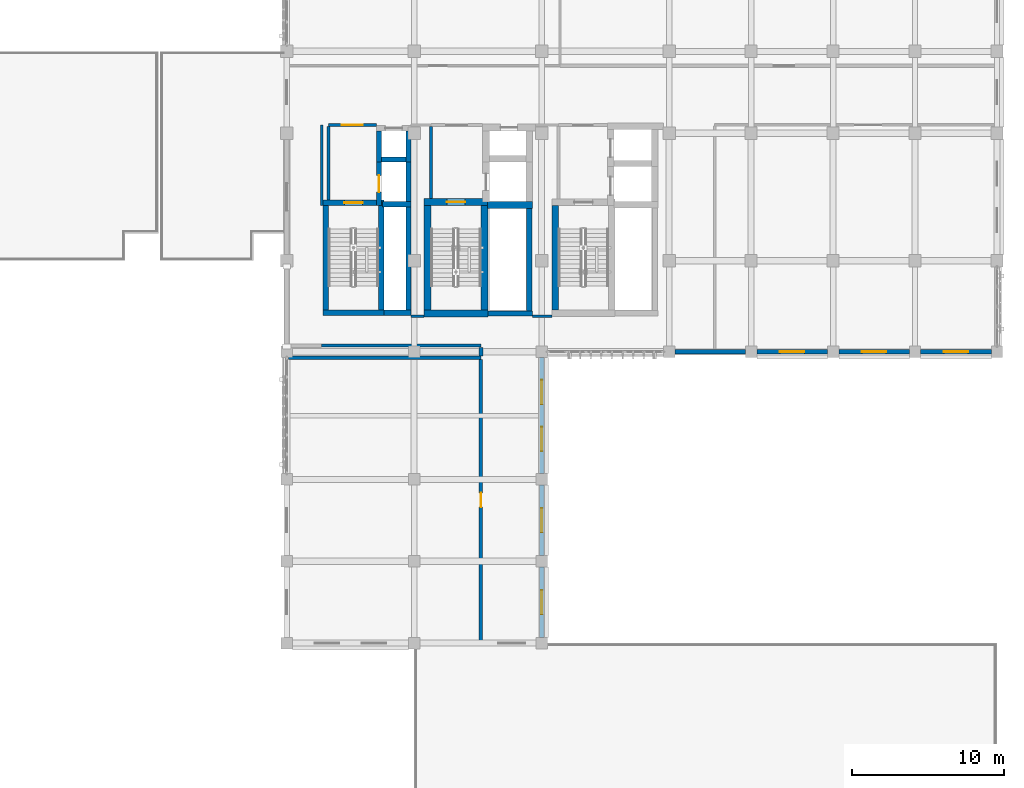
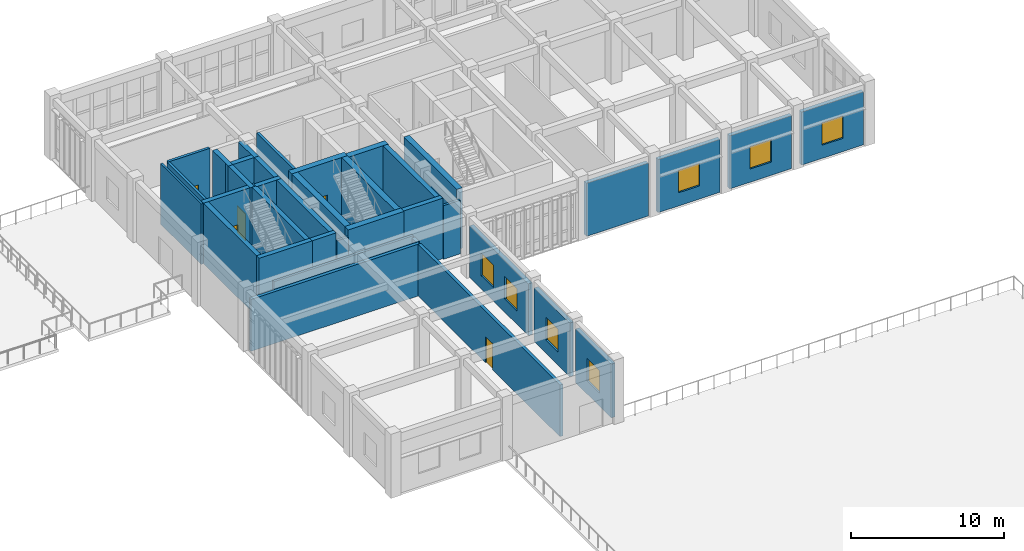
# One storey, part 80 of 93: 37 walls, 7 windows, 5 doors, 12 openings.
"""IFC4 building model written with IfcOpenShell, lengths in metres."""

from ifc_helpers import new_model, si_unit, direction, frame, frame_2d, origin, place, context, subcontext, project, spatial, rectangle, extrude, material, layer, layer_set, type_object, element, fill, save


model = new_model("IFC4")

# Units and contexts
model_context = context("Model", 3, precision=1e-05, world=origin(), true_north=direction((0.0, 1.0)))
body_context = subcontext(model_context, "Body", "Model", "MODEL_VIEW")
ifc_project = project(units=[si_unit("LENGTHUNIT", "METRE"), si_unit("AREAUNIT", "SQUARE_METRE"), si_unit("VOLUMEUNIT", "CUBIC_METRE"), si_unit("PLANEANGLEUNIT", "RADIAN"), si_unit("MASSUNIT", "GRAM", prefix="KILO")], contexts=[model_context])

# Site, building, storey
site_placement = place(None, origin())
site = spatial("IfcSite", under=ifc_project, at=site_placement, CompositionType="ELEMENT")
building_placement = place(site_placement, origin())
building = spatial("IfcBuilding", under=site, at=building_placement, Name="Krzemoval Escarpment Law Courts", CompositionType="ELEMENT")
storey_placement = place(building_placement, frame((0.0, 0.0, 10.199951171875)))
storey = spatial("IfcBuildingStorey", under=building, at=storey_placement, Name="L02", CompositionType="ELEMENT", Elevation=10.199951171875)

# Wall, opening, window
ifc_material_1 = material(Name="Precast concrete C40/50", Category="concrete")
ifc_layer_1 = layer(ifc_material_1, 0.300048828125)
ifc_layer_set_1 = layer_set([ifc_layer_1], Name="Precast concrete C40/50")
wall_type_1 = type_object("IfcWallType", Name="WL-EXT-300", PredefinedType="SOLIDWALL", material=ifc_layer_set_1)
wall_1_placement = place(storey_placement, frame((172.425048828125, 93.60009765625, 0.0), z_axis=(0.0, 0.0, 1.0), x_axis=(-1.0, 0.0, 0.0)))
wall_1 = element("IfcWall", 1, at=wall_1_placement, inside=storey, type_object=wall_type_1, Name="Exterior Wall EW-L02-0314", PredefinedType="SOLIDWALL", context=body_context, shape_type="SweptSolid", body=[
    extrude(rectangle(XDim=4.650146484375, YDim=0.300048828125, at=frame_2d((2.3251953125, 0.0))), origin(), (0.0, 0.0, 1.0), 4.219970703125),
])
opening_1_placement = place(wall_1_placement, frame((1.52490234375, 0.0, 1.050048828125)))
opening_1 = element("IfcOpeningElement", 2, at=opening_1_placement, cuts=wall_1, Name="Opening WN-L02-0344", PredefinedType="OPENING", context=body_context, shape_type="SweptSolid", body=[
    extrude(rectangle(XDim=1.60009765625, YDim=1.800048828125, at=frame_2d((0.800048828125, 0.89990234375))), frame((0.0, 0.16502, 0.0), z_axis=(0.0, -1.0, 0.0), x_axis=(1.0, 0.0, 0.0)), (0.0, 0.0, 1.0), 0.33005),
])
ifc_material_2 = material(Name="Thermally Broken Aluminium Frame with Triple Low-E Acoustic Glass", Category="aluminium")
window_type = type_object("IfcWindowType", Name="WN-1600x1800", PartitioningType="SINGLE_PANEL", PredefinedType="WINDOW", material=ifc_material_2)
window_1_placement = place(opening_1_placement, origin())
window_1 = element("IfcWindow", 3, at=window_1_placement, inside=storey, type_object=window_type, Name="Facade Window WN-L02-0344", OverallHeight=1.800048828125, OverallWidth=1.60009765625, PartitioningType="SINGLE_PANEL", PredefinedType="WINDOW", context=body_context, shape_type="SweptSolid", body=[
    extrude(rectangle(XDim=1.60009765625, YDim=1.800048828125, at=frame_2d((0.800048828125, 0.89990234375))), frame((0.0, 0.030029296875, 0.0), z_axis=(0.0, -1.0, 0.0), x_axis=(1.0, 0.0, 0.0)), (0.0, 0.0, 1.0), 0.06005859375),
])
fill(opening_1, window_1)

wall_2_placement = place(storey_placement, frame((167.02490234375, 93.60009765625, 0.0), z_axis=(0.0, 0.0, 1.0), x_axis=(-1.0, 0.0, 0.0)))
wall_2 = element("IfcWall", 4, at=wall_2_placement, inside=storey, type_object=wall_type_1, Name="Exterior Wall EW-L02-0315", PredefinedType="SOLIDWALL", context=body_context, shape_type="SweptSolid", body=[
    extrude(rectangle(XDim=4.64990234375, YDim=0.300048828125, at=frame_2d((2.324951171875, 0.0))), origin(), (0.0, 0.0, 1.0), 4.219970703125),
])
opening_2_placement = place(wall_2_placement, frame((1.52490234375, 0.0, 1.050048828125)))
opening_2 = element("IfcOpeningElement", 5, at=opening_2_placement, cuts=wall_2, Name="Opening WN-L02-0345", PredefinedType="OPENING", context=body_context, shape_type="SweptSolid", body=[
    extrude(rectangle(XDim=1.60009765625, YDim=1.800048828125, at=frame_2d((0.800048828125, 0.89990234375))), frame((0.0, 0.16502, 0.0), z_axis=(0.0, -1.0, 0.0), x_axis=(1.0, 0.0, 0.0)), (0.0, 0.0, 1.0), 0.33005),
])
window_2_placement = place(opening_2_placement, origin())
window_2 = element("IfcWindow", 6, at=window_2_placement, inside=storey, type_object=window_type, Name="Facade Window WN-L02-0345", OverallHeight=1.800048828125, OverallWidth=1.60009765625, PartitioningType="SINGLE_PANEL", PredefinedType="WINDOW", context=body_context, shape_type="SweptSolid", body=[
    extrude(rectangle(XDim=1.60009765625, YDim=1.800048828125, at=frame_2d((0.800048828125, 0.89990234375))), frame((0.0, 0.030029296875, 0.0), z_axis=(0.0, -1.0, 0.0), x_axis=(1.0, 0.0, 0.0)), (0.0, 0.0, 1.0), 0.06005859375),
])
fill(opening_2, window_2)

wall_3_placement = place(storey_placement, frame((161.625, 93.60009765625, 0.0), z_axis=(0.0, 0.0, 1.0), x_axis=(-1.0, 0.0, 0.0)))
wall_3 = element("IfcWall", 7, at=wall_3_placement, inside=storey, type_object=wall_type_1, Name="Exterior Wall EW-L02-0316", PredefinedType="SOLIDWALL", context=body_context, shape_type="SweptSolid", body=[
    extrude(rectangle(XDim=4.64990234375, YDim=0.300048828125, at=frame_2d((2.324951171875, 0.0))), origin(), (0.0, 0.0, 1.0), 4.219970703125),
])
opening_3_placement = place(wall_3_placement, frame((1.52490234375, 0.0, 1.050048828125)))
opening_3 = element("IfcOpeningElement", 8, at=opening_3_placement, cuts=wall_3, Name="Opening WN-L02-0346", PredefinedType="OPENING", context=body_context, shape_type="SweptSolid", body=[
    extrude(rectangle(XDim=1.60009765625, YDim=1.800048828125, at=frame_2d((0.800048828125, 0.89990234375))), frame((0.0, 0.16502, 0.0), z_axis=(0.0, -1.0, 0.0), x_axis=(1.0, 0.0, 0.0)), (0.0, 0.0, 1.0), 0.33005),
])
window_3_placement = place(opening_3_placement, origin())
window_3 = element("IfcWindow", 9, at=window_3_placement, inside=storey, type_object=window_type, Name="Facade Window WN-L02-0346", OverallHeight=1.800048828125, OverallWidth=1.60009765625, PartitioningType="SINGLE_PANEL", PredefinedType="WINDOW", context=body_context, shape_type="SweptSolid", body=[
    extrude(rectangle(XDim=1.60009765625, YDim=1.800048828125, at=frame_2d((0.800048828125, 0.89990234375))), frame((0.0, 0.030029296875, 0.0), z_axis=(0.0, -1.0, 0.0), x_axis=(1.0, 0.0, 0.0)), (0.0, 0.0, 1.0), 0.06005859375),
])
fill(opening_3, window_3)

# Wall
wall_4_placement = place(storey_placement, frame((156.22509765625, 93.60009765625, 0.0), z_axis=(0.0, 0.0, 1.0), x_axis=(-1.0, 0.0, 0.0)))
element("IfcWall", 10, at=wall_4_placement, inside=storey, type_object=wall_type_1, Name="Exterior Wall EW-L02-0317", PredefinedType="SOLIDWALL", context=body_context, shape_type="SweptSolid", body=[
    extrude(rectangle(XDim=4.650146484375, YDim=0.300048828125, at=frame_2d((2.3251953125, 0.0))), origin(), (0.0, 0.0, 1.0), 4.219970703125),
])

# Wall, openings, windows
wall_5_placement = place(storey_placement, frame((142.800048828125, 93.22509765625, 0.0), z_axis=(0.0, 0.0, 1.0), x_axis=(0.0, -1.0, 0.0)))
wall_5 = element("IfcWall", 11, at=wall_5_placement, inside=storey, type_object=wall_type_1, Name="Exterior Wall EW-L02-0318", PredefinedType="SOLIDWALL", context=body_context, shape_type="SweptSolid", body=[
    extrude(rectangle(XDim=7.650146484375, YDim=0.300048828125, at=frame_2d((3.8251953125, 0.0))), origin(), (0.0, 0.0, 1.0), 4.1201171875),
])
opening_4_placement = place(wall_5_placement, frame((1.48291015625, 0.0, 1.050048828125)))
opening_4 = element("IfcOpeningElement", 12, at=opening_4_placement, cuts=wall_5, Name="Opening WN-L02-0347", PredefinedType="OPENING", context=body_context, shape_type="SweptSolid", body=[
    extrude(rectangle(XDim=1.60009765625, YDim=1.800048828125, at=frame_2d((0.800048828125, 0.89990234375))), frame((0.0, 0.16502, 0.0), z_axis=(0.0, -1.0, 0.0), x_axis=(1.0, 0.0, 0.0)), (0.0, 0.0, 1.0), 0.33005),
])
opening_5_placement = place(wall_5_placement, frame((4.56689453125, 0.0, 1.050048828125)))
opening_5 = element("IfcOpeningElement", 13, at=opening_5_placement, cuts=wall_5, Name="Opening WN-L02-0348", PredefinedType="OPENING", context=body_context, shape_type="SweptSolid", body=[
    extrude(rectangle(XDim=1.60009765625, YDim=1.800048828125, at=frame_2d((0.800048828125, 0.89990234375))), frame((0.0, 0.16502, 0.0), z_axis=(0.0, -1.0, 0.0), x_axis=(1.0, 0.0, 0.0)), (0.0, 0.0, 1.0), 0.33005),
])
window_4_placement = place(opening_4_placement, origin())
window_4 = element("IfcWindow", 14, at=window_4_placement, inside=storey, type_object=window_type, Name="Facade Window WN-L02-0347", OverallHeight=1.800048828125, OverallWidth=1.60009765625, PartitioningType="SINGLE_PANEL", PredefinedType="WINDOW", context=body_context, shape_type="SweptSolid", body=[
    extrude(rectangle(XDim=1.60009765625, YDim=1.800048828125, at=frame_2d((0.800048828125, 0.89990234375))), frame((0.0, 0.030029296875, 0.0), z_axis=(0.0, -1.0, 0.0), x_axis=(1.0, 0.0, 0.0)), (0.0, 0.0, 1.0), 0.06005859375),
])
fill(opening_4, window_4)
window_5_placement = place(opening_5_placement, origin())
window_5 = element("IfcWindow", 15, at=window_5_placement, inside=storey, type_object=window_type, Name="Facade Window WN-L02-0348", OverallHeight=1.800048828125, OverallWidth=1.60009765625, PartitioningType="SINGLE_PANEL", PredefinedType="WINDOW", context=body_context, shape_type="SweptSolid", body=[
    extrude(rectangle(XDim=1.60009765625, YDim=1.800048828125, at=frame_2d((0.800048828125, 0.89990234375))), frame((0.0, 0.030029296875, 0.0), z_axis=(0.0, -1.0, 0.0), x_axis=(1.0, 0.0, 0.0)), (0.0, 0.0, 1.0), 0.06005859375),
])
fill(opening_5, window_5)

# Wall, opening, window
wall_6_placement = place(storey_placement, frame((142.800048828125, 84.824951171875, 0.0), z_axis=(0.0, 0.0, 1.0), x_axis=(0.0, -1.0, 0.0)))
wall_6 = element("IfcWall", 16, at=wall_6_placement, inside=storey, type_object=wall_type_1, Name="Exterior Wall EW-L02-0319", PredefinedType="SOLIDWALL", context=body_context, shape_type="SweptSolid", body=[
    extrude(rectangle(XDim=4.64990234375, YDim=0.300048828125, at=frame_2d((2.324951171875, 0.0))), origin(), (0.0, 0.0, 1.0), 4.27001953125),
])
opening_6_placement = place(wall_6_placement, frame((1.52490234375, 0.0, 1.050048828125)))
opening_6 = element("IfcOpeningElement", 17, at=opening_6_placement, cuts=wall_6, Name="Opening WN-L02-0349", PredefinedType="OPENING", context=body_context, shape_type="SweptSolid", body=[
    extrude(rectangle(XDim=1.60009765625, YDim=1.800048828125, at=frame_2d((0.800048828125, 0.89990234375))), frame((0.0, 0.16502, 0.0), z_axis=(0.0, -1.0, 0.0), x_axis=(1.0, 0.0, 0.0)), (0.0, 0.0, 1.0), 0.33005),
])
window_6_placement = place(opening_6_placement, origin())
window_6 = element("IfcWindow", 18, at=window_6_placement, inside=storey, type_object=window_type, Name="Facade Window WN-L02-0349", OverallHeight=1.800048828125, OverallWidth=1.60009765625, PartitioningType="SINGLE_PANEL", PredefinedType="WINDOW", context=body_context, shape_type="SweptSolid", body=[
    extrude(rectangle(XDim=1.60009765625, YDim=1.800048828125, at=frame_2d((0.800048828125, 0.89990234375))), frame((0.0, 0.030029296875, 0.0), z_axis=(0.0, -1.0, 0.0), x_axis=(1.0, 0.0, 0.0)), (0.0, 0.0, 1.0), 0.06005859375),
])
fill(opening_6, window_6)

wall_7_placement = place(storey_placement, frame((142.800048828125, 79.425048828125, 0.0), z_axis=(0.0, 0.0, 1.0), x_axis=(0.0, -1.0, 0.0)))
wall_7 = element("IfcWall", 19, at=wall_7_placement, inside=storey, type_object=wall_type_1, Name="Exterior Wall EW-L02-0320", PredefinedType="SOLIDWALL", context=body_context, shape_type="SweptSolid", body=[
    extrude(rectangle(XDim=4.650146484375, YDim=0.300048828125, at=frame_2d((2.3251953125, 0.0))), origin(), (0.0, 0.0, 1.0), 4.27001953125),
])
opening_7_placement = place(wall_7_placement, frame((1.52490234375, 0.0, 1.050048828125)))
opening_7 = element("IfcOpeningElement", 20, at=opening_7_placement, cuts=wall_7, Name="Opening WN-L02-0350", PredefinedType="OPENING", context=body_context, shape_type="SweptSolid", body=[
    extrude(rectangle(XDim=1.60009765625, YDim=1.800048828125, at=frame_2d((0.800048828125, 0.89990234375))), frame((0.0, 0.16502, 0.0), z_axis=(0.0, -1.0, 0.0), x_axis=(1.0, 0.0, 0.0)), (0.0, 0.0, 1.0), 0.33005),
])
window_7_placement = place(opening_7_placement, origin())
window_7 = element("IfcWindow", 21, at=window_7_placement, inside=storey, type_object=window_type, Name="Facade Window WN-L02-0350", OverallHeight=1.800048828125, OverallWidth=1.60009765625, PartitioningType="SINGLE_PANEL", PredefinedType="WINDOW", context=body_context, shape_type="SweptSolid", body=[
    extrude(rectangle(XDim=1.60009765625, YDim=1.800048828125, at=frame_2d((0.800048828125, 0.89990234375))), frame((0.0, 0.030029296875, 0.0), z_axis=(0.0, -1.0, 0.0), x_axis=(1.0, 0.0, 0.0)), (0.0, 0.0, 1.0), 0.06005859375),
])
fill(opening_7, window_7)

# Walls
ifc_material_3 = material(Name="Office Acoustic Partition Wall", Category="gypsum")
ifc_layer_2 = layer(ifc_material_3, 0.14990234375)
ifc_layer_set_2 = layer_set([ifc_layer_2], Name="Office Acoustic Partition Wall")
wall_type_2 = type_object("IfcWallType", Name="WL-PRT-150", PredefinedType="PARTITIONING", material=ifc_layer_set_2)
wall_8_placement = place(storey_placement, frame((128.300048828125, 103.248046875, 0.0), z_axis=(0.0, 0.0, 1.0), x_axis=(0.0, 1.0, 0.0)))
element("IfcWall", 22, at=wall_8_placement, inside=storey, type_object=wall_type_2, Name="Interior Partition PW-L02-0474", PredefinedType="PARTITIONING", context=body_context, shape_type="SweptSolid", body=[
    extrude(rectangle(XDim=5.302001953125, YDim=0.14990234375, at=frame_2d((2.65087890625, 0.0))), origin(), (0.0, 0.0, 1.0), 4.820068359375),
])
ifc_material_4 = material(Name="Judicial Chambers Acoustic Partition", Category="gypsum")
ifc_layer_3 = layer(ifc_material_4, 0.179931640625)
ifc_layer_set_3 = layer_set([ifc_layer_3], Name="Judicial Chambers Acoustic Partition")
wall_type_3 = type_object("IfcWallType", Name="WL-PRT-180", PredefinedType="PARTITIONING", material=ifc_layer_set_3)
wall_9_placement = place(storey_placement, frame((134.199951171875, 95.949951171875, 0.0), z_axis=(0.0, 0.0, 1.0), x_axis=(1.0, 0.0, 0.0)))
element("IfcWall", 23, at=wall_9_placement, inside=storey, type_object=wall_type_3, Name="Interior Partition PW-L02-0405", PredefinedType="PARTITIONING", context=body_context, shape_type="SweptSolid", body=[
    extrude(rectangle(XDim=0.85009765625, YDim=0.179931640625, at=frame_2d((0.425048828125, 0.0))), origin(), (0.0, 0.0, 1.0), 4.27001953125),
])
wall_10_placement = place(storey_placement, frame((142.199951171875, 95.949951171875, 0.0), z_axis=(0.0, 0.0, 1.0), x_axis=(1.0, 0.0, 0.0)))
element("IfcWall", 24, at=wall_10_placement, inside=storey, type_object=wall_type_3, Name="Interior Partition PW-L02-0406", PredefinedType="PARTITIONING", context=body_context, shape_type="SweptSolid", body=[
    extrude(rectangle(XDim=1.280029296875, YDim=0.179931640625, at=frame_2d((0.64013671875, 0.0))), origin(), (0.0, 0.0, 1.0), 4.27001953125),
])
ifc_material_5 = material(Name="Fire-Rated Corridor Partition Wall", Category="gypsum")
ifc_layer_4 = layer(ifc_material_5, 0.199951171875)
ifc_layer_set_4 = layer_set([ifc_layer_4], Name="Fire-Rated Corridor Partition Wall")
wall_type_4 = type_object("IfcWallType", Name="WL-PRT-200", PredefinedType="PARTITIONING", material=ifc_layer_set_4)
wall_11_placement = place(storey_placement, frame((128.300048828125, 94.0, 0.0), z_axis=(0.0, 0.0, 1.0), x_axis=(1.0, 0.0, 0.0)))
element("IfcWall", 25, at=wall_11_placement, inside=storey, type_object=wall_type_4, Name="Interior Partition PW-L02-0404", PredefinedType="PARTITIONING", context=body_context, shape_type="SweptSolid", body=[
    extrude(rectangle(XDim=10.5, YDim=0.199951171875, at=frame_2d((5.25, 0.0))), origin(), (0.0, 0.0, 1.0), 4.27001953125),
])

# Wall, opening, door
wall_12_placement = place(storey_placement, frame((128.75, 108.550048828125, 0.0), z_axis=(0.0, 0.0, 1.0), x_axis=(1.0, 0.0, 0.0)))
wall_12 = element("IfcWall", 26, at=wall_12_placement, inside=storey, type_object=wall_type_4, Name="Interior Partition PW-L02-0413", PredefinedType="PARTITIONING", context=body_context, shape_type="SweptSolid", body=[
    extrude(rectangle(XDim=3.14990234375, YDim=0.199951171875, at=frame_2d((1.574951171875, 0.0))), origin(), (0.0, 0.0, 1.0), 4.820068359375),
])
opening_8_placement = place(wall_12_placement, frame((0.875, 0.0, 0.0)))
opening_8 = element("IfcOpeningElement", 27, at=opening_8_placement, cuts=wall_12, Name="Opening D-L02-0126", PredefinedType="OPENING", context=body_context, shape_type="SweptSolid", body=[
    extrude(rectangle(XDim=1.39990234375, YDim=2.199951171875, at=frame_2d((0.699951171875, 1.10009765625))), frame((0.0, 0.11498, 0.0), z_axis=(0.0, -1.0, 0.0), x_axis=(1.0, 0.0, 0.0)), (0.0, 0.0, 1.0), 0.22995),
])
ifc_material_6 = material(Name="Galvanised Steel S355", Category="steel")
door_type_1 = type_object("IfcDoorType", Name="DR-FFL-1400x2200", OperationType="SINGLE_SWING_LEFT", PredefinedType="DOOR", material=ifc_material_6)
door_1_placement = place(opening_8_placement, origin())
door_1 = element("IfcDoor", 28, at=door_1_placement, inside=storey, type_object=door_type_1, Name="Room Door D-L02-0126", OperationType="SINGLE_SWING_LEFT", OverallHeight=2.199951171875, OverallWidth=1.39990234375, PredefinedType="DOOR", context=body_context, shape_type="SweptSolid", body=[
    extrude(rectangle(XDim=1.39990234375, YDim=2.199951171875, at=frame_2d((0.699951171875, 1.10009765625))), frame((0.0, 0.02490234375, 0.0), z_axis=(0.0, -1.0, 0.0), x_axis=(1.0, 0.0, 0.0)), (0.0, 0.0, 1.0), 0.050048828125),
])
fill(opening_8, door_1)

# Walls
wall_13_placement = place(storey_placement, frame((128.75, 103.60205078125, 0.0), z_axis=(0.0, 0.0, 1.0), x_axis=(0.0, 1.0, 0.0)))
element("IfcWall", 29, at=wall_13_placement, inside=storey, type_object=wall_type_4, Name="Interior Partition PW-L02-0475", PredefinedType="PARTITIONING", context=body_context, shape_type="SweptSolid", body=[
    extrude(rectangle(XDim=4.845947265625, YDim=0.199951171875, at=frame_2d((2.4228515625, 0.0))), origin(), (0.0, 0.0, 1.0), 4.820068359375),
])
wall_14_placement = place(storey_placement, frame((135.5, 103.701904296875, 0.0), z_axis=(0.0, 0.0, 1.0), x_axis=(0.0, 1.0, 0.0)))
element("IfcWall", 30, at=wall_14_placement, inside=storey, type_object=wall_type_4, Name="Interior Partition PW-L02-0476", PredefinedType="PARTITIONING", context=body_context, shape_type="SweptSolid", body=[
    extrude(rectangle(XDim=4.74609375, YDim=0.199951171875, at=frame_2d((2.373046875, 0.0))), origin(), (0.0, 0.0, 1.0), 4.820068359375),
])

# Wall, opening, door
ifc_material_7 = material(Name="Acoustic Calcium-Silicate Block Wall", Category="masonry")
ifc_layer_5 = layer(ifc_material_7, 0.22998046875)
ifc_layer_set_5 = layer_set([ifc_layer_5], Name="Acoustic Calcium-Silicate Block Wall")
wall_type_5 = type_object("IfcWallType", Name="WL-PRT-230", PredefinedType="SOLIDWALL", material=ifc_layer_set_5)
wall_15_placement = place(storey_placement, frame((138.800048828125, 74.592041015625, 0.0), z_axis=(0.0, 0.0, 1.0), x_axis=(0.0, 1.0, 0.0)))
wall_15 = element("IfcWall", 31, at=wall_15_placement, inside=storey, type_object=wall_type_5, Name="Interior Partition PW-L02-0477", PredefinedType="SOLIDWALL", context=body_context, shape_type="SweptSolid", body=[
    extrude(rectangle(XDim=18.48583984375, YDim=0.22998046875, at=frame_2d((9.242919921875, 0.0))), origin(), (0.0, 0.0, 1.0), 4.1201171875),
])
opening_9_placement = place(wall_15_placement, frame((8.76806640625, 0.0, 0.0)))
opening_9 = element("IfcOpeningElement", 32, at=opening_9_placement, cuts=wall_15, Name="Opening D-L02-0161", PredefinedType="OPENING", context=body_context, shape_type="SweptSolid", body=[
    extrude(rectangle(XDim=0.949951171875, YDim=2.10009765625, at=frame_2d((0.47509765625, 1.050048828125))), frame((0.0, 0.12999, 0.0), z_axis=(0.0, -1.0, 0.0), x_axis=(1.0, 0.0, 0.0)), (0.0, 0.0, 1.0), 0.25998),
])
ifc_material_8 = material(Name="Engineered Solid-Core Oak Acoustic Timber", Category="wood")
door_type_2 = type_object("IfcDoorType", Name="DR-INT-950x2100", OperationType="SINGLE_SWING_LEFT", PredefinedType="DOOR", material=ifc_material_8)
door_2_placement = place(opening_9_placement, origin())
door_2 = element("IfcDoor", 33, at=door_2_placement, inside=storey, type_object=door_type_2, Name="Room Door D-L02-0161", OperationType="SINGLE_SWING_RIGHT", OverallHeight=2.10009765625, OverallWidth=0.949951171875, PredefinedType="DOOR", context=body_context, shape_type="SweptSolid", body=[
    extrude(rectangle(XDim=0.949951171875, YDim=2.10009765625, at=frame_2d((0.47509765625, 1.050048828125))), frame((0.0, 0.02490234375, 0.0), z_axis=(0.0, -1.0, 0.0), x_axis=(1.0, 0.0, 0.0)), (0.0, 0.0, 1.0), 0.050048828125),
])
fill(opening_9, door_2)

# Walls
ifc_material_9 = material(Name="Acoustic Courtroom Partition Assembly", Category="gypsum")
ifc_layer_6 = layer(ifc_material_9, 0.239990234375)
ifc_layer_set_6 = layer_set([ifc_layer_6], Name="Acoustic Courtroom Partition Assembly")
wall_type_6 = type_object("IfcWallType", Name="WL-PRT-240", PredefinedType="PARTITIONING", material=ifc_layer_set_6)
wall_16_placement = place(storey_placement, frame((126.114990234375, 93.199951171875, 0.0), z_axis=(0.0, 0.0, 1.0), x_axis=(1.0, 0.0, 0.0)))
element("IfcWall", 34, at=wall_16_placement, inside=storey, type_object=wall_type_6, Name="Interior Partition PW-L02-0402", PredefinedType="PARTITIONING", context=body_context, shape_type="SweptSolid", body=[
    extrude(rectangle(XDim=12.68505859375, YDim=0.239990234375, at=frame_2d((6.342529296875, 0.0))), origin(), (0.0, 0.0, 1.0), 4.1201171875),
])
wall_17_placement = place(storey_placement, frame((138.800048828125, 93.322021484375, 0.0), z_axis=(0.0, 0.0, 1.0), x_axis=(0.0, 1.0, 0.0)))
element("IfcWall", 35, at=wall_17_placement, inside=storey, type_object=wall_type_6, Name="Interior Partition PW-L02-0478", PredefinedType="PARTITIONING", context=body_context, shape_type="SweptSolid", body=[
    extrude(rectangle(XDim=0.575927734375, YDim=0.239990234375, at=frame_2d((0.2880859375, 0.0))), origin(), (0.0, 0.0, 1.0), 4.1201171875),
])

# Wall, opening, door
ifc_material_10 = material(Name="Concrete C40/50", Category="concrete")
ifc_layer_7 = layer(ifc_material_10, 0.35009765625)
ifc_layer_set_7 = layer_set([ifc_layer_7], Name="Concrete C40/50")
wall_type_7 = type_object("IfcWallType", Name="WL-SHW-350", PredefinedType="SHEAR", material=ifc_layer_set_7)
wall_18_placement = place(storey_placement, frame((128.39990234375, 103.425048828125, 0.0), z_axis=(0.0, 0.0, 1.0), x_axis=(1.0, 0.0, 0.0)))
wall_18 = element("IfcWall", 36, at=wall_18_placement, inside=storey, type_object=wall_type_7, Name="Core Stair Shear Wall SW-L02-0040", PredefinedType="SHEAR", context=body_context, shape_type="SweptSolid", body=[
    extrude(rectangle(XDim=4.0, YDim=0.35009765625, at=frame_2d((2.0, 0.0))), origin(), (0.0, 0.0, 1.0), 4.820068359375),
])
opening_10_placement = place(wall_18_placement, frame((1.39990234375, 0.0, 0.0)))
opening_10 = element("IfcOpeningElement", 37, at=opening_10_placement, cuts=wall_18, Name="Opening SD-ST1-L02", PredefinedType="OPENING", context=body_context, shape_type="SweptSolid", body=[
    extrude(rectangle(XDim=1.199951171875, YDim=2.199951171875, at=frame_2d((0.60009765625, 1.10009765625))), frame((0.0, 0.19005, 0.0), z_axis=(0.0, -1.0, 0.0), x_axis=(1.0, 0.0, 0.0)), (0.0, 0.0, 1.0), 0.3801),
])
ifc_material_11 = material(Name="Galvanised Steel S355", Category="steel")
door_type_3 = type_object("IfcDoorType", Name="DR-STR-1200x2200", OperationType="SINGLE_SWING_LEFT", PredefinedType="DOOR", material=ifc_material_11)
door_3_placement = place(opening_10_placement, origin())
door_3 = element("IfcDoor", 38, at=door_3_placement, inside=storey, type_object=door_type_3, Name="Stair Exit Door SD-ST1-L02", OperationType="SINGLE_SWING_LEFT", OverallHeight=2.199951171875, OverallWidth=1.199951171875, PredefinedType="DOOR", context=body_context, shape_type="SweptSolid", body=[
    extrude(rectangle(XDim=1.199951171875, YDim=2.199951171875, at=frame_2d((0.60009765625, 1.10009765625))), frame((0.0, 0.02490234375, 0.0), z_axis=(0.0, -1.0, 0.0), x_axis=(1.0, 0.0, 0.0)), (0.0, 0.0, 1.0), 0.050048828125),
])
fill(opening_10, door_3)

# Walls
wall_19_placement = place(storey_placement, frame((128.39990234375, 96.175048828125, 0.0), z_axis=(0.0, 0.0, 1.0), x_axis=(1.0, 0.0, 0.0)))
element("IfcWall", 39, at=wall_19_placement, inside=storey, type_object=wall_type_7, Name="Core Stair Shear Wall SW-L02-0041", PredefinedType="SHEAR", context=body_context, shape_type="SweptSolid", body=[
    extrude(rectangle(XDim=4.0, YDim=0.35009765625, at=frame_2d((2.0, 0.0))), origin(), (0.0, 0.0, 1.0), 4.820068359375),
])
for number, where, z_axis, x_axis, name in (
    (40, (128.574951171875, 96.35205078125, 0.0), (0.0, 0.0, 1.0), (0.0, 1.0, 0.0), "Core Stair Shear Wall SW-L02-0042"),
    (41, (132.22509765625, 96.35205078125, 0.0), (0.0, 0.0, 1.0), (0.0, 1.0, 0.0), "Core Stair Shear Wall SW-L02-0043"),
):
    element("IfcWall", number, at=place(storey_placement, frame(where, z_axis=z_axis, x_axis=x_axis)), inside=storey, type_object=wall_type_7, Name=name, PredefinedType="SHEAR", context=body_context, shape_type="SweptSolid", body=[
        extrude(rectangle(XDim=6.89599609375, YDim=0.35009765625, at=frame_2d((3.447998046875, 0.0))), origin(), (0.0, 0.0, 1.0), 4.820068359375),
    ])
wall_20_placement = place(storey_placement, frame((132.318115234375, 103.324951171875, 0.0), z_axis=(0.0, 0.0, 1.0), x_axis=(1.0, 0.0, 0.0)))
element("IfcWall", 42, at=wall_20_placement, inside=storey, type_object=wall_type_7, Name="Lift Shaft Shear Wall SW-L02-0044", PredefinedType="SHEAR", context=body_context, shape_type="SweptSolid", body=[
    extrude(rectangle(XDim=1.8818359375, YDim=0.35009765625, at=frame_2d((0.94091796875, 0.0))), origin(), (0.0, 0.0, 1.0), 4.820068359375),
])
wall_21_placement = place(storey_placement, frame((131.89990234375, 106.27490234375, 0.0), z_axis=(0.0, 0.0, 1.0), x_axis=(1.0, 0.0, 0.0)))
element("IfcWall", 43, at=wall_21_placement, inside=storey, type_object=wall_type_7, Name="Lift Shaft Shear Wall SW-L02-0045", PredefinedType="SHEAR", context=body_context, shape_type="SweptSolid", body=[
    extrude(rectangle(XDim=2.300048828125, YDim=0.35009765625, at=frame_2d((1.14990234375, 0.0))), origin(), (0.0, 0.0, 1.0), 4.820068359375),
])

# Wall, opening, door
wall_22_placement = place(storey_placement, frame((132.074951171875, 103.242919921875, 0.0), z_axis=(0.0, 0.0, 1.0), x_axis=(0.0, 1.0, 0.0)))
wall_22 = element("IfcWall", 44, at=wall_22_placement, inside=storey, type_object=wall_type_7, Name="Lift Shaft Shear Wall SW-L02-0046", PredefinedType="SHEAR", context=body_context, shape_type="SweptSolid", body=[
    extrude(rectangle(XDim=2.85498046875, YDim=0.35009765625, at=frame_2d((1.427490234375, 0.0))), origin(), (0.0, 0.0, 1.0), 4.820068359375),
])
opening_11_placement = place(wall_22_placement, frame((0.8779296875, 0.0, 0.0)))
opening_11 = element("IfcOpeningElement", 45, at=opening_11_placement, cuts=wall_22, Name="Opening LD-FL1-L02", PredefinedType="OPENING", context=body_context, shape_type="SweptSolid", body=[
    extrude(rectangle(XDim=1.10009765625, YDim=2.14990234375, at=frame_2d((0.550048828125, 1.074951171875))), frame((0.0, 0.19005, 0.0), z_axis=(0.0, -1.0, 0.0), x_axis=(1.0, 0.0, 0.0)), (0.0, 0.0, 1.0), 0.3801),
])
ifc_material_12 = material(Name="Stainless Steel Grade 304", Category="steel")
door_type_4 = type_object("IfcDoorType", Name="DR-LFT-1100x2150", OperationType="SINGLE_SWING_LEFT", PredefinedType="DOOR", material=ifc_material_12)
door_4_placement = place(opening_11_placement, origin())
door_4 = element("IfcDoor", 46, at=door_4_placement, inside=storey, type_object=door_type_4, Name="Lift Landing Door LD-FL1-L02", OperationType="DOUBLE_DOOR_SLIDING", OverallHeight=2.14990234375, OverallWidth=1.10009765625, PredefinedType="DOOR", context=body_context, shape_type="SweptSolid", body=[
    extrude(rectangle(XDim=1.10009765625, YDim=2.14990234375, at=frame_2d((0.550048828125, 1.074951171875))), frame((0.0, 0.02490234375, 0.0), z_axis=(0.0, -1.0, 0.0), x_axis=(1.0, 0.0, 0.0)), (0.0, 0.0, 1.0), 0.050048828125),
])
fill(opening_11, door_4)

# Walls
wall_23_placement = place(storey_placement, frame((134.02490234375, 103.501953125, 0.0), z_axis=(0.0, 0.0, 1.0), x_axis=(0.0, 1.0, 0.0)))
element("IfcWall", 47, at=wall_23_placement, inside=storey, type_object=wall_type_7, Name="Lift Shaft Shear Wall SW-L02-0047", PredefinedType="SHEAR", context=body_context, shape_type="SweptSolid", body=[
    extrude(rectangle(XDim=2.595947265625, YDim=0.35009765625, at=frame_2d((1.2978515625, 0.0))), origin(), (0.0, 0.0, 1.0), 4.820068359375),
])
for number, where, z_axis, x_axis, name in (
    (48, (132.074951171875, 106.093017578125, 0.0), (0.0, 0.0, 1.0), (0.0, 1.0, 0.0), "Lift Shaft Shear Wall SW-L02-0049"),
    (49, (134.02490234375, 106.093017578125, 0.0), (0.0, 0.0, 1.0), (0.0, 1.0, 0.0), "Lift Shaft Shear Wall SW-L02-0050"),
):
    element("IfcWall", number, at=place(storey_placement, frame(where, z_axis=z_axis, x_axis=x_axis)), inside=storey, type_object=wall_type_7, Name=name, PredefinedType="SHEAR", context=body_context, shape_type="SweptSolid", body=[
        extrude(rectangle(XDim=2.054931640625, YDim=0.35009765625, at=frame_2d((1.02734375, 0.0))), origin(), (0.0, 0.0, 1.0), 4.820068359375),
    ])
wall_24_placement = place(storey_placement, frame((132.39990234375, 96.175048828125, 0.0), z_axis=(0.0, 0.0, 1.0), x_axis=(1.0, 0.0, 0.0)))
element("IfcWall", 50, at=wall_24_placement, inside=storey, type_object=wall_type_7, Name="Riser Shaft Wall SW-L02-0051", PredefinedType="SHEAR", context=body_context, shape_type="SweptSolid", body=[
    extrude(rectangle(XDim=1.800048828125, YDim=0.35009765625, at=frame_2d((0.89990234375, 0.0))), origin(), (0.0, 0.0, 1.0), 4.820068359375),
])
wall_25_placement = place(storey_placement, frame((134.02490234375, 96.35205078125, 0.0), z_axis=(0.0, 0.0, 1.0), x_axis=(0.0, 1.0, 0.0)))
element("IfcWall", 51, at=wall_25_placement, inside=storey, type_object=wall_type_7, Name="Riser Shaft Wall SW-L02-0052", PredefinedType="SHEAR", context=body_context, shape_type="SweptSolid", body=[
    extrude(rectangle(XDim=7.155029296875, YDim=0.35009765625, at=frame_2d((3.57763671875, 0.0))), origin(), (0.0, 0.0, 1.0), 4.820068359375),
])
wall_26_placement = place(storey_placement, frame((139.25, 96.125, 0.0), z_axis=(0.0, 0.0, 1.0), x_axis=(1.0, 0.0, 0.0)))
element("IfcWall", 52, at=wall_26_placement, inside=storey, type_object=wall_type_7, Name="Riser Shaft Wall SW-L02-0201", PredefinedType="SHEAR", context=body_context, shape_type="SweptSolid", body=[
    extrude(rectangle(XDim=2.949951171875, YDim=0.35009765625, at=frame_2d((1.47509765625, 0.0))), origin(), (0.0, 0.0, 1.0), 4.820068359375),
])
wall_27_placement = place(storey_placement, frame((141.97509765625, 96.294921875, 0.0), z_axis=(0.0, 0.0, 1.0), x_axis=(0.0, 1.0, 0.0)))
element("IfcWall", 53, at=wall_27_placement, inside=storey, type_object=wall_type_7, Name="Riser Shaft Wall SW-L02-0202", PredefinedType="SHEAR", context=body_context, shape_type="SweptSolid", body=[
    extrude(rectangle(XDim=7.212158203125, YDim=0.35009765625, at=frame_2d((3.60595703125, 0.0))), origin(), (0.0, 0.0, 1.0), 4.820068359375),
])
ifc_material_13 = material(Name="Concrete C40/50", Category="concrete")
ifc_layer_8 = layer(ifc_material_13, 0.419921875)
ifc_layer_set_8 = layer_set([ifc_layer_8], Name="Concrete C40/50")
wall_type_8 = type_object("IfcWallType", Name="WL-SHW-420", PredefinedType="SHEAR", material=ifc_layer_set_8)
wall_28_placement = place(storey_placement, frame((143.68994140625, 96.35205078125, 0.0), z_axis=(0.0, 0.0, 1.0), x_axis=(0.0, 1.0, 0.0)))
element("IfcWall", 54, at=wall_28_placement, inside=storey, type_object=wall_type_8, Name="Core Stair Shear Wall SW-L02-0342", PredefinedType="SHEAR", context=body_context, shape_type="SweptSolid", body=[
    extrude(rectangle(XDim=6.89599609375, YDim=0.419921875, at=frame_2d((3.447998046875, 0.0))), origin(), (0.0, 0.0, 1.0), 4.820068359375),
])

# Wall, opening, door
ifc_material_14 = material(Name="Concrete C40/50", Category="concrete")
ifc_layer_9 = layer(ifc_material_14, 0.449951171875)
ifc_layer_set_9 = layer_set([ifc_layer_9], Name="Concrete C40/50")
wall_type_9 = type_object("IfcWallType", Name="WL-SHW-450", PredefinedType="SHEAR", material=ifc_layer_set_9)
wall_29_placement = place(storey_placement, frame((135.050048828125, 103.47509765625, 0.0), z_axis=(0.0, 0.0, 1.0), x_axis=(1.0, 0.0, 0.0)))
wall_29 = element("IfcWall", 55, at=wall_29_placement, inside=storey, type_object=wall_type_9, Name="Core Stair Shear Wall SW-L02-0190", PredefinedType="SHEAR", context=body_context, shape_type="SweptSolid", body=[
    extrude(rectangle(XDim=4.199951171875, YDim=0.449951171875, at=frame_2d((2.10009765625, 0.0))), origin(), (0.0, 0.0, 1.0), 4.820068359375),
])
opening_12_placement = place(wall_29_placement, frame((1.5, 0.0, 0.0)))
opening_12 = element("IfcOpeningElement", 56, at=opening_12_placement, cuts=wall_29, Name="Opening SD-ST2-L02", PredefinedType="OPENING", context=body_context, shape_type="SweptSolid", body=[
    extrude(rectangle(XDim=1.199951171875, YDim=2.199951171875, at=frame_2d((0.60009765625, 1.10009765625))), frame((0.0, 0.23998, 0.0), z_axis=(0.0, -1.0, 0.0), x_axis=(1.0, 0.0, 0.0)), (0.0, 0.0, 1.0), 0.47995),
])
door_5_placement = place(opening_12_placement, origin())
door_5 = element("IfcDoor", 57, at=door_5_placement, inside=storey, type_object=door_type_3, Name="Stair Exit Door SD-ST2-L02", OperationType="SINGLE_SWING_RIGHT", OverallHeight=2.199951171875, OverallWidth=1.199951171875, PredefinedType="DOOR", context=body_context, shape_type="SweptSolid", body=[
    extrude(rectangle(XDim=1.199951171875, YDim=2.199951171875, at=frame_2d((0.60009765625, 1.10009765625))), frame((0.0, 0.02490234375, 0.0), z_axis=(0.0, -1.0, 0.0), x_axis=(1.0, 0.0, 0.0)), (0.0, 0.0, 1.0), 0.050048828125),
])
fill(opening_12, door_5)

# Walls
wall_30_placement = place(storey_placement, frame((135.050048828125, 96.125, 0.0), z_axis=(0.0, 0.0, 1.0), x_axis=(1.0, 0.0, 0.0)))
element("IfcWall", 58, at=wall_30_placement, inside=storey, type_object=wall_type_9, Name="Core Stair Shear Wall SW-L02-0191", PredefinedType="SHEAR", context=body_context, shape_type="SweptSolid", body=[
    extrude(rectangle(XDim=4.199951171875, YDim=0.449951171875, at=frame_2d((2.10009765625, 0.0))), origin(), (0.0, 0.0, 1.0), 4.820068359375),
])
for number, where, z_axis, x_axis, name in (
    (59, (135.27490234375, 96.35205078125, 0.0), (0.0, 0.0, 1.0), (0.0, 1.0, 0.0), "Core Stair Shear Wall SW-L02-0192"),
    (60, (139.02490234375, 96.35205078125, 0.0), (0.0, 0.0, 1.0), (0.0, 1.0, 0.0), "Core Stair Shear Wall SW-L02-0193"),
):
    element("IfcWall", number, at=place(storey_placement, frame(where, z_axis=z_axis, x_axis=x_axis)), inside=storey, type_object=wall_type_9, Name=name, PredefinedType="SHEAR", context=body_context, shape_type="SweptSolid", body=[
        extrude(rectangle(XDim=6.89599609375, YDim=0.449951171875, at=frame_2d((3.447998046875, 0.0))), origin(), (0.0, 0.0, 1.0), 4.820068359375),
    ])
wall_31_placement = place(storey_placement, frame((139.218017578125, 103.27490234375, 0.0), z_axis=(0.0, 0.0, 1.0), x_axis=(1.0, 0.0, 0.0)))
element("IfcWall", 61, at=wall_31_placement, inside=storey, type_object=wall_type_9, Name="Lift Shaft Shear Wall SW-L02-0194", PredefinedType="SHEAR", context=body_context, shape_type="SweptSolid", body=[
    extrude(rectangle(XDim=2.98193359375, YDim=0.449951171875, at=frame_2d((1.490966796875, 0.0))), origin(), (0.0, 0.0, 1.0), 4.820068359375),
])

save(model, "model.ifc")
